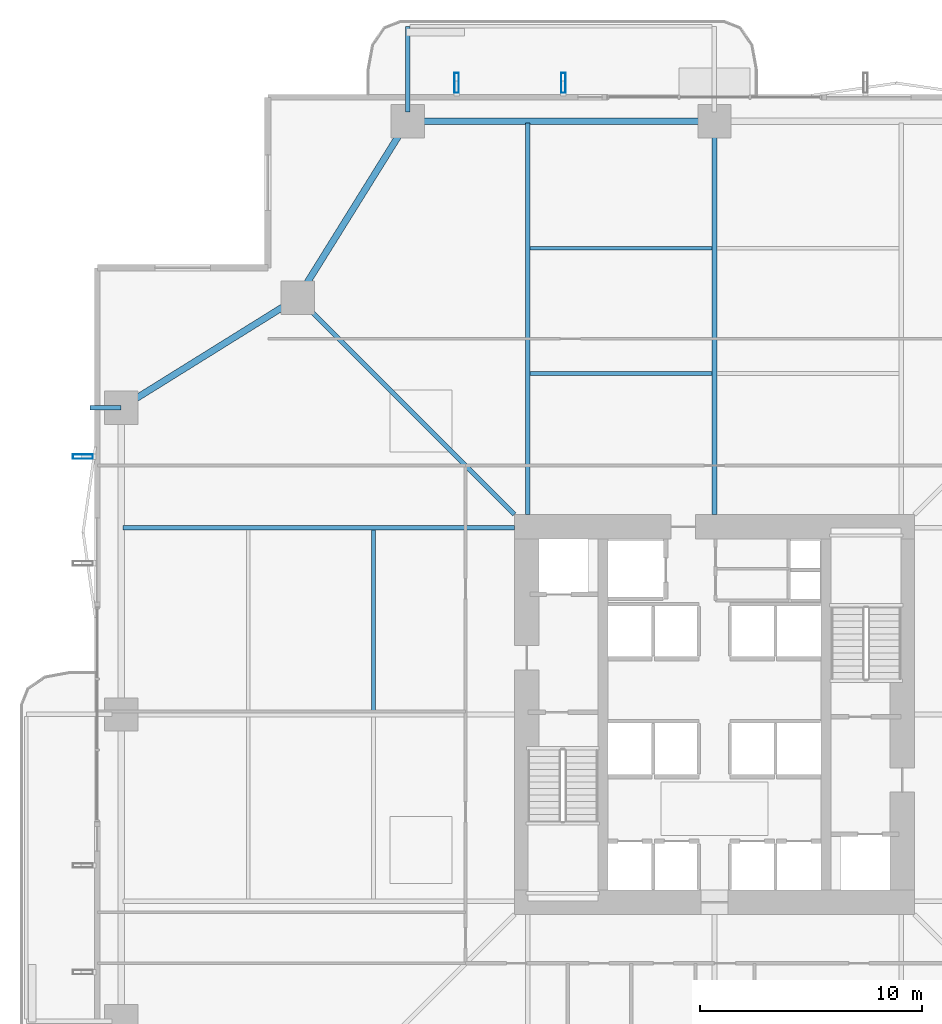
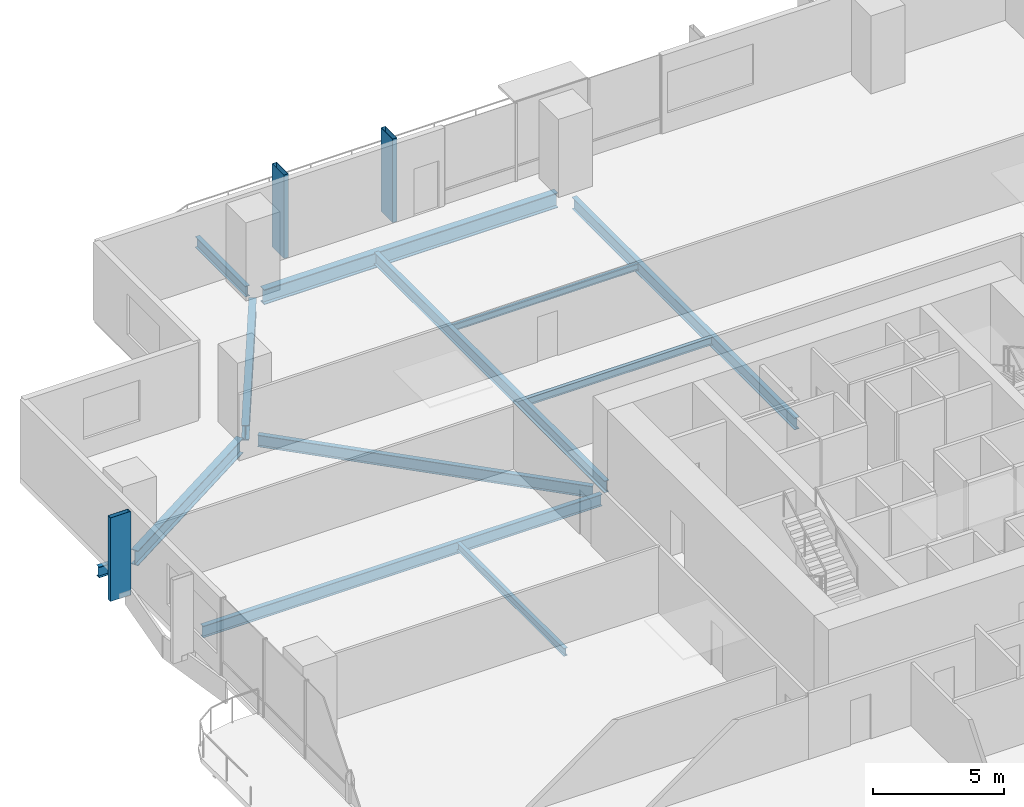
# One storey, part 10 of 24: 12 beams, 3 members.
"""IFC4 building model written with IfcOpenShell, lengths in metres."""

import ifcopenshell
import ifcopenshell.guid

model = None  # the IFC model being written
_history = None  # IfcOwnerHistory: only IFC2X3 demands one
_inside = {}  # id of a spatial element -> (the spatial element, [elements in it])
_under = {}  # id of a project, library or spatial element -> (it, [spatial elements below it])
_declared = {}  # id of a project -> (the project, [libraries it declares])
_typed = {}  # id of a type object -> (the type object, [elements of that type])
_made_of = {}  # id of a material, layer set ... -> (it, [elements and type objects made of it])


def new_model(schema):
    """Start an empty IFC model of exactly this schema.

    Asked for "IFC4X3", IfcOpenShell would pick the latest addendum, in which some entities
    have other attributes; the version numbers below select the first issue.
    IFC2X3 requires an IfcOwnerHistory on every rooted entity: one is made here for all.
    """
    global model, _history
    if schema == "IFC4X3":
        model = ifcopenshell.file(schema_version=(4, 3, 0, 0))
    else:
        model = ifcopenshell.file(schema=schema)
    _inside.clear()
    _under.clear()
    _declared.clear()
    _typed.clear()
    _made_of.clear()
    _history = None
    if model.schema == "IFC2X3":
        org = make("IfcOrganization", Name="unknown")
        user = make(
            "IfcPersonAndOrganization",
            ThePerson=make("IfcPerson", FamilyName="unknown"),
            TheOrganization=org,
        )
        app = make(
            "IfcApplication",
            ApplicationDeveloper=org,
            Version="unknown",
            ApplicationFullName="unknown",
            ApplicationIdentifier="unknown",
        )
        _history = make(
            "IfcOwnerHistory",
            OwningUser=user,
            OwningApplication=app,
            ChangeAction="ADDED",
            CreationDate=0,
        )
    return model


def make(cls, **values):
    """One entity of the class cls with the attributes given. An attribute that is None is left unset."""
    return model.create_entity(
        cls, **{name: value for name, value in values.items() if value is not None}
    )


def rooted(cls, **values):
    """An entity with a GlobalId (a new one), such as an element, a storey or a relation."""
    return make(cls, GlobalId=ifcopenshell.guid.new(), OwnerHistory=_history, **values)


def si_unit(unit_type, name, prefix=None):
    """IfcSIUnit, for example si_unit("LENGTHUNIT", "METRE", prefix="MILLI")."""
    return make("IfcSIUnit", UnitType=unit_type, Prefix=prefix, Name=name)


def assignment(units):
    """IfcUnitAssignment: the units of a project."""
    return None if units is None else make("IfcUnitAssignment", Units=units)


def point(xyz):
    """IfcCartesianPoint."""
    return None if xyz is None else make("IfcCartesianPoint", Coordinates=xyz)


def direction(xyz):
    """IfcDirection."""
    return None if xyz is None else make("IfcDirection", DirectionRatios=xyz)


def frame(location, z_axis=None, x_axis=None):
    """IfcAxis2Placement3D, a coordinate frame: its origin and axes. An axis left out is left unset."""
    return make(
        "IfcAxis2Placement3D",
        Location=point(location),
        Axis=direction(z_axis),
        RefDirection=direction(x_axis),
    )


def frame_2d(location, x_axis=None):
    """IfcAxis2Placement2D, a coordinate frame in the plane: its origin and x axis."""
    return make(
        "IfcAxis2Placement2D", Location=point(location), RefDirection=direction(x_axis)
    )


def origin():
    """The frame at (0, 0, 0) with its axes left unset."""
    return frame((0.0, 0.0, 0.0))


def origin_2d():
    """The frame at (0, 0) in the plane with its x axis left unset."""
    return frame_2d((0.0, 0.0))


def place(relative_to, where):
    """IfcLocalPlacement: puts the frame where relative to a parent placement (None: the world)."""
    return make(
        "IfcLocalPlacement", PlacementRelTo=relative_to, RelativePlacement=where
    )


def context(
    kind, dimensions, precision=None, world=None, true_north=None, identifier=None
):
    """IfcGeometricRepresentationContext, for example the 3D "Model" context."""
    return make(
        "IfcGeometricRepresentationContext",
        ContextIdentifier=identifier,
        ContextType=kind,
        CoordinateSpaceDimension=dimensions,
        Precision=precision,
        WorldCoordinateSystem=world,
        TrueNorth=true_north,
    )


def subcontext(parent, identifier, kind, view, scale=None):
    """IfcGeometricRepresentationSubContext, for example "Body" below "Model"."""
    return make(
        "IfcGeometricRepresentationSubContext",
        ContextIdentifier=identifier,
        ContextType=kind,
        ParentContext=parent,
        TargetScale=scale,
        TargetView=view,
    )


def project(units=None, contexts=None):
    """IfcProject with its units and contexts."""
    return rooted(
        "IfcProject",
        Name="project",
        RepresentationContexts=contexts,
        UnitsInContext=assignment(units),
    )


def spatial(cls, under=None, at=None, **own):
    """A site, building, storey or space (cls), placed at a placement, below another one or the project."""
    s = rooted(cls, ObjectPlacement=at, **own)
    if under is not None:
        _under.setdefault(under.id(), (under, []))[1].append(s)
    return s


def profile(cls, at=None, kind="AREA", **sizes):
    """A parametric profile (cls). Its sizes go by their IFC names, for example OverallWidth=200.0."""
    return make(cls, ProfileType=kind, Position=at, **sizes)


def hollow_rectangle(**sizes):
    """IfcRectangleHollowProfileDef."""
    return profile("IfcRectangleHollowProfileDef", **sizes)


def i_section(**sizes):
    """IfcIShapeProfileDef."""
    return profile("IfcIShapeProfileDef", **sizes)


def extrude(swept, where, along, depth):
    """IfcExtrudedAreaSolid: the profile swept, set in the frame where, extruded along a direction by depth."""
    return make(
        "IfcExtrudedAreaSolid",
        SweptArea=swept,
        Position=where,
        ExtrudedDirection=direction(along),
        Depth=depth,
    )


def shape(context_of_items, identifier, shape_type, items):
    """IfcShapeRepresentation: the items that make up one representation, for example the "Body"."""
    return make(
        "IfcShapeRepresentation",
        ContextOfItems=context_of_items,
        RepresentationIdentifier=identifier,
        RepresentationType=shape_type,
        Items=items,
    )


def material(Name=None, Category=None):
    """IfcMaterial."""
    return make("IfcMaterial", Name=Name, Category=Category)


def material_profile(
    of_material, cross_section, Name=None, Category=None, Priority=None
):
    """IfcMaterialProfile: a cross section and its material."""
    return make(
        "IfcMaterialProfile",
        Name=Name,
        Material=of_material,
        Profile=cross_section,
        Priority=Priority,
        Category=Category,
    )


def profile_set(profiles, Name=None, composite=None):
    """IfcMaterialProfileSet."""
    return make(
        "IfcMaterialProfileSet",
        Name=Name,
        MaterialProfiles=profiles,
        CompositeProfile=composite,
    )


def made_of(thing, what):
    """Note that an element or type object is made of a material, layer set ...; save() writes the relation."""
    if what is not None:
        _made_of.setdefault(what.id(), (what, []))[1].append(thing)
    return thing


def type_object(cls, material=None, **own):
    """A type object (cls), such as IfcWallType, which elements share."""
    return made_of(rooted(cls, **own), material)


def element(
    cls,
    number,
    at=None,
    inside=None,
    cuts=None,
    type_object=None,
    material=None,
    context=None,
    identifier="Body",
    shape_type=None,
    held_by="IfcProductDefinitionShape",
    body=None,
    shapes=None,
    **own,
):
    """One element of the class cls, such as IfcWall. Its Tag is "e" and its number.

    at: its placement. inside: the storey or other place that contains it. cuts: it is an
    opening in that element (IfcRelVoidsElement). A single representation is given by context,
    identifier, shape_type and body (its items); several are given by shapes. held_by: the class
    of the entity that holds the representations. save() writes the other relations.
    """
    e = rooted(cls, Tag="e%d" % number, ObjectPlacement=at, **own)
    if body is not None:
        shapes = [shape(context, identifier, shape_type, body)]
    if shapes is not None:
        e.Representation = make(held_by, Representations=shapes)
    if inside is not None:
        _inside.setdefault(inside.id(), (inside, []))[1].append(e)
    if cuts is not None:
        rooted(
            "IfcRelVoidsElement", RelatingBuildingElement=cuts, RelatedOpeningElement=e
        )
    if type_object is not None:
        _typed.setdefault(type_object.id(), (type_object, []))[1].append(e)
    return made_of(e, material)


def aggregate(whole, parts):
    """IfcRelAggregates: a whole, such as a stair, and the parts it consists of."""
    return rooted("IfcRelAggregates", RelatingObject=whole, RelatedObjects=parts)


def save(model, path):
    """Write the relations noted so far, then the file.

    IfcRelAggregates (storeys below a building ...), IfcRelContainedInSpatialStructure (elements
    in a storey), IfcRelDefinesByType, IfcRelAssociatesMaterial and IfcRelDeclares: one each for
    every whole, place, type object, material and project.
    """
    for whole, parts in _under.values():
        aggregate(whole, parts)
    for where, things in _inside.values():
        rooted(
            "IfcRelContainedInSpatialStructure",
            RelatedElements=things,
            RelatingStructure=where,
        )
    for kind, things in _typed.values():
        rooted("IfcRelDefinesByType", RelatedObjects=things, RelatingType=kind)
    for what, things in _made_of.values():
        rooted("IfcRelAssociatesMaterial", RelatedObjects=things, RelatingMaterial=what)
    for by, libraries in _declared.values():
        rooted("IfcRelDeclares", RelatingContext=by, RelatedDefinitions=libraries)
    model.write(path)


model = new_model("IFC4")

# Units and contexts
model_context = context("Model", 3, precision=1e-05, world=origin(), true_north=direction((0.0, 1.0)))
body_context = subcontext(model_context, "Body", "Model", "MODEL_VIEW")
ifc_project = project(units=[si_unit("LENGTHUNIT", "METRE"), si_unit("AREAUNIT", "SQUARE_METRE"), si_unit("VOLUMEUNIT", "CUBIC_METRE"), si_unit("PLANEANGLEUNIT", "RADIAN"), si_unit("MASSUNIT", "GRAM", prefix="KILO")], contexts=[model_context])

# Site, building, storey
site_placement = place(None, origin())
site = spatial("IfcSite", under=ifc_project, at=site_placement, CompositionType="ELEMENT")
building_placement = place(site_placement, origin())
building = spatial("IfcBuilding", under=site, at=building_placement, Name="Belovzor Exchange Tower", CompositionType="ELEMENT")
storey_placement = place(building_placement, frame((0.0, 0.0, 92.39990234375)))
storey = spatial("IfcBuildingStorey", under=building, at=storey_placement, Name="L22", CompositionType="ELEMENT", Elevation=92.39990234375)

# Beams
ifc_material_1 = material(Name="Steel S355", Category="steel")
ifc_material_profile_1 = material_profile(ifc_material_1, i_section(OverallWidth=0.199951171875, OverallDepth=0.5, WebThickness=0.01025390625, FlangeThickness=0.01611328125, at=origin_2d()))
ifc_profile_set_1 = profile_set([ifc_material_profile_1], Name="Steel S355")
beam_type_1 = type_object("IfcBeamType", Name="Planted Balcony Cantilever Beam IPE 500", PredefinedType="BEAM", material=ifc_profile_set_1)
beam_1_placement = place(storey_placement, frame((15.0, 55.9130859375, -0.5), z_axis=(0.0, 1.0, 0.0), x_axis=(-1.0, 0.0, 0.0)))
element("IfcBeam", 1, at=beam_1_placement, inside=storey, type_object=beam_type_1, Name="BC-500 Planted Balcony Cantilever Beam IPE 500", PredefinedType="BEAM", context=body_context, shape_type="SweptSolid", body=[
    extrude(i_section(OverallWidth=0.199951171875, OverallDepth=0.5, WebThickness=0.01025390625, FlangeThickness=0.01611328125, at=origin_2d()), origin(), (0.0, 0.0, 1.0), 3.849853515625),
])
beam_2_placement = place(storey_placement, frame((2.10009765625, 42.60009765625, -0.5), z_axis=(-1.0, 0.0, 0.0), x_axis=(0.0, -1.0, 0.0)))
element("IfcBeam", 2, at=beam_2_placement, inside=storey, type_object=beam_type_1, Name="BC-500 Planted Balcony Cantilever Beam IPE 500", PredefinedType="BEAM", context=body_context, shape_type="SweptSolid", body=[
    extrude(i_section(OverallWidth=0.199951171875, OverallDepth=0.5, WebThickness=0.01025390625, FlangeThickness=0.01611328125, at=origin_2d()), origin(), (0.0, 0.0, 1.0), 1.400146484375),
])
ifc_material_2 = material(Name="Steel S355", Category="steel")
ifc_material_profile_2 = material_profile(ifc_material_2, i_section(OverallWidth=0.169921875, OverallDepth=0.360107421875, WebThickness=0.008056640625, FlangeThickness=0.0126953125, at=origin_2d()))
ifc_profile_set_2 = profile_set([ifc_material_profile_2], Name="Steel S355")
beam_type_2 = type_object("IfcBeamType", Name="Secondary Infill Floor Joist IPE 360", PredefinedType="BEAM", material=ifc_profile_set_2)
beam_3_placement = place(storey_placement, frame((20.5048828125, 44.14501953125, -0.429931640625), z_axis=(1.0, 0.0, 0.0), x_axis=(0.0, 1.0, 0.0)))
element("IfcBeam", 3, at=beam_3_placement, inside=storey, type_object=beam_type_2, Name="FJ-360 Secondary Infill Floor Joist IPE 360", PredefinedType="BEAM", context=body_context, shape_type="SweptSolid", body=[
    extrude(i_section(OverallWidth=0.169921875, OverallDepth=0.360107421875, WebThickness=0.008056640625, FlangeThickness=0.0126953125, at=origin_2d()), origin(), (0.0, 0.0, 1.0), 8.190185546875),
])
beam_4_placement = place(storey_placement, frame((13.455078125, 28.905029296875, -0.429931640625), z_axis=(0.0, 1.0, 0.0), x_axis=(-1.0, 0.0, 0.0)))
element("IfcBeam", 4, at=beam_4_placement, inside=storey, type_object=beam_type_2, Name="FJ-360 Secondary Infill Floor Joist IPE 360", PredefinedType="BEAM", context=body_context, shape_type="SweptSolid", body=[
    extrude(i_section(OverallWidth=0.169921875, OverallDepth=0.360107421875, WebThickness=0.008056640625, FlangeThickness=0.0126953125, at=origin_2d()), origin(), (0.0, 0.0, 1.0), 8.18994140625),
])
ifc_material_3 = material(Name="Steel S355", Category="steel")
ifc_material_profile_3 = material_profile(ifc_material_3, i_section(OverallWidth=0.14990234375, OverallDepth=0.300048828125, WebThickness=0.007080078125, FlangeThickness=0.0107421875, at=origin_2d()))
ifc_profile_set_3 = profile_set([ifc_material_profile_3], Name="Steel S355")
beam_type_3 = type_object("IfcBeamType", Name="Secondary Trim Floor Joist IPE 300", PredefinedType="BEAM", material=ifc_profile_set_3)
beam_5_placement = place(storey_placement, frame((20.5048828125, 49.784912109375, -0.39990234375), z_axis=(1.0, 0.0, 0.0), x_axis=(0.0, 1.0, 0.0)))
element("IfcBeam", 5, at=beam_5_placement, inside=storey, type_object=beam_type_3, Name="FJ-300 Secondary Trim Floor Joist IPE 300", PredefinedType="BEAM", context=body_context, shape_type="SweptSolid", body=[
    extrude(i_section(OverallWidth=0.14990234375, OverallDepth=0.300048828125, WebThickness=0.007080078125, FlangeThickness=0.0107421875, at=origin_2d()), origin(), (0.0, 0.0, 1.0), 8.190185546875),
])

# Members
ifc_material_4 = material(Name="Extruded Architectural Terracotta on Steel S355 Carrier", Category="masonry")
ifc_material_profile_4 = material_profile(ifc_material_4, hollow_rectangle(XDim=0.199951171875, YDim=0.89990234375, WallThickness=0.011962890625, at=origin_2d()))
ifc_profile_set_4 = profile_set([ifc_material_profile_4], Name="Extruded Architectural Terracotta on Steel S355 Carrier")
member_type = type_object("IfcMemberType", Name="Sweeping Terracotta Baguette Fin Assembly 1250", PredefinedType="USERDEFINED", material=ifc_profile_set_4)
for number, where, z_axis, x_axis, name in (
    (6, (17.199951171875, 57.22509765625, -0.25), (0.0, 0.0, 1.0), (1.0, 0.0, 0.0), "FIN-TC125 Terracotta Facade Fin L22 N1"),
    (7, (22.0, 57.22509765625, -0.25), (0.0, 0.0, 1.0), (1.0, 0.0, 0.0), "FIN-TC125 Terracotta Facade Fin L22 N2"),
    (8, (0.375, 40.39990234375, -0.25), (0.0, 0.0, 1.0), (0.0, 1.0, 0.0), "FIN-TC125 Terracotta Facade Fin L22 W4"),
):
    element("IfcMember", number, at=place(storey_placement, frame(where, z_axis=z_axis, x_axis=x_axis)), inside=storey, type_object=member_type, Name=name, ObjectType="FIN", PredefinedType="USERDEFINED", context=body_context, shape_type="SweptSolid", body=[
        extrude(hollow_rectangle(XDim=0.199951171875, YDim=0.89990234375, WallThickness=0.011962890625, at=origin_2d()), origin(), (0.0, 0.0, 1.0), 3.900146484375),
    ])

# Beams
ifc_material_5 = material(Name="Steel S355", Category="steel")
ifc_material_profile_5 = material_profile(ifc_material_5, i_section(OverallWidth=0.300048828125, OverallDepth=0.699951171875, WebThickness=0.01708984375, FlangeThickness=0.031982421875, at=origin_2d()))
ifc_profile_set_5 = profile_set([ifc_material_profile_5], Name="Steel S355")
beam_type_4 = type_object("IfcBeamType", Name="Zone 1 Primary Perimeter Girder HEB 700", PredefinedType="BEAM", material=ifc_profile_set_5)
beam_6_placement = place(storey_placement, frame((28.386962890625, 55.5, -0.599853515625), z_axis=(-1.0, 0.0, 0.0), x_axis=(0.0, -1.0, 0.0)))
element("IfcBeam", 9, at=beam_6_placement, inside=storey, type_object=beam_type_4, Name="FG-Z1 Zone 1 Primary Perimeter Girder HEB 700", PredefinedType="BEAM", context=body_context, shape_type="SweptSolid", body=[
    extrude(i_section(OverallWidth=0.300048828125, OverallDepth=0.699951171875, WebThickness=0.01708984375, FlangeThickness=0.031982421875, at=origin_2d()), origin(), (0.0, 0.0, 1.0), 12.974853515625),
])
for number, where, z_axis, x_axis, name in (
    (10, (14.781982421875, 55.14990234375, -0.599853515625), (-0.528538629686, -0.848909251292, 0.0), (0.848909251292, -0.528538629686, 0.0), "FG-Z1 Zone 1 Primary Perimeter Girder HEB 700"),
    (11, (9.699951171875, 47.33203125, -0.599853515625), (-0.848909251292, -0.528538629686, 0.0), (0.528538629686, -0.848909251292, 0.0), "FG-Z1 Zone 1 Primary Perimeter Girder HEB 700"),
):
    element("IfcBeam", number, at=place(storey_placement, frame(where, z_axis=z_axis, x_axis=x_axis)), inside=storey, type_object=beam_type_4, Name=name, PredefinedType="BEAM", context=body_context, shape_type="SweptSolid", body=[
        extrude(i_section(OverallWidth=0.300048828125, OverallDepth=0.699951171875, WebThickness=0.01708984375, FlangeThickness=0.031982421875, at=origin_2d()), origin(), (0.0, 0.0, 1.0), 8.540283203125),
    ])
ifc_material_6 = material(Name="Steel S355", Category="steel")
ifc_material_profile_6 = material_profile(ifc_material_6, i_section(OverallWidth=0.2099609375, OverallDepth=0.550048828125, WebThickness=0.010986328125, FlangeThickness=0.01708984375, at=origin_2d()))
ifc_profile_set_6 = profile_set([ifc_material_profile_6], Name="Steel S355")
beam_type_5 = type_object("IfcBeamType", Name="Zone 1 Radial Composite Floor Beam IPE 550", PredefinedType="BEAM", material=ifc_profile_set_6)
beam_7_placement = place(storey_placement, frame((20.39990234375, 37.800048828125, -0.52490234375), z_axis=(0.0, 1.0, 0.0), x_axis=(-1.0, 0.0, 0.0)))
element("IfcBeam", 12, at=beam_7_placement, inside=storey, type_object=beam_type_5, Name="FB-550 Zone 1 Radial Composite Floor Beam IPE 550", PredefinedType="BEAM", context=body_context, shape_type="SweptSolid", body=[
    extrude(i_section(OverallWidth=0.2099609375, OverallDepth=0.550048828125, WebThickness=0.010986328125, FlangeThickness=0.01708984375, at=origin_2d()), origin(), (0.0, 0.0, 1.0), 17.625),
])
beam_8_placement = place(storey_placement, frame((28.800048828125, 37.800048828125, -0.52490234375), z_axis=(0.0, 1.0, 0.0), x_axis=(-1.0, 0.0, 0.0)))
element("IfcBeam", 13, at=beam_8_placement, inside=storey, type_object=beam_type_5, Name="FB-550 Zone 1 Radial Composite Floor Beam IPE 550", PredefinedType="BEAM", context=body_context, shape_type="SweptSolid", body=[
    extrude(i_section(OverallWidth=0.2099609375, OverallDepth=0.550048828125, WebThickness=0.010986328125, FlangeThickness=0.01708984375, at=origin_2d()), origin(), (0.0, 0.0, 1.0), 17.0400390625),
])
beam_9_placement = place(storey_placement, frame((19.800048828125, 37.199951171875, -0.52490234375), z_axis=(-1.0, 0.0, 0.0), x_axis=(0.0, -1.0, 0.0)))
element("IfcBeam", 14, at=beam_9_placement, inside=storey, type_object=beam_type_5, Name="FB-550 Zone 1 Radial Composite Floor Beam IPE 550", PredefinedType="BEAM", context=body_context, shape_type="SweptSolid", body=[
    extrude(i_section(OverallWidth=0.2099609375, OverallDepth=0.550048828125, WebThickness=0.010986328125, FlangeThickness=0.01708984375, at=origin_2d()), origin(), (0.0, 0.0, 1.0), 17.625),
])
beam_10_placement = place(storey_placement, frame((19.800048828125, 37.800048828125, -0.52490234375), z_axis=(-0.707106781187, 0.707106781187, 0.0), x_axis=(-0.707106781187, -0.707106781187, 0.0)))
element("IfcBeam", 15, at=beam_10_placement, inside=storey, type_object=beam_type_5, Name="FB-550 Zone 1 Radial Composite Floor Beam IPE 550", PredefinedType="BEAM", context=body_context, shape_type="SweptSolid", body=[
    extrude(i_section(OverallWidth=0.2099609375, OverallDepth=0.550048828125, WebThickness=0.010986328125, FlangeThickness=0.01708984375, at=origin_2d()), origin(), (0.0, 0.0, 1.0), 13.25830078125),
])

save(model, "model.ifc")
